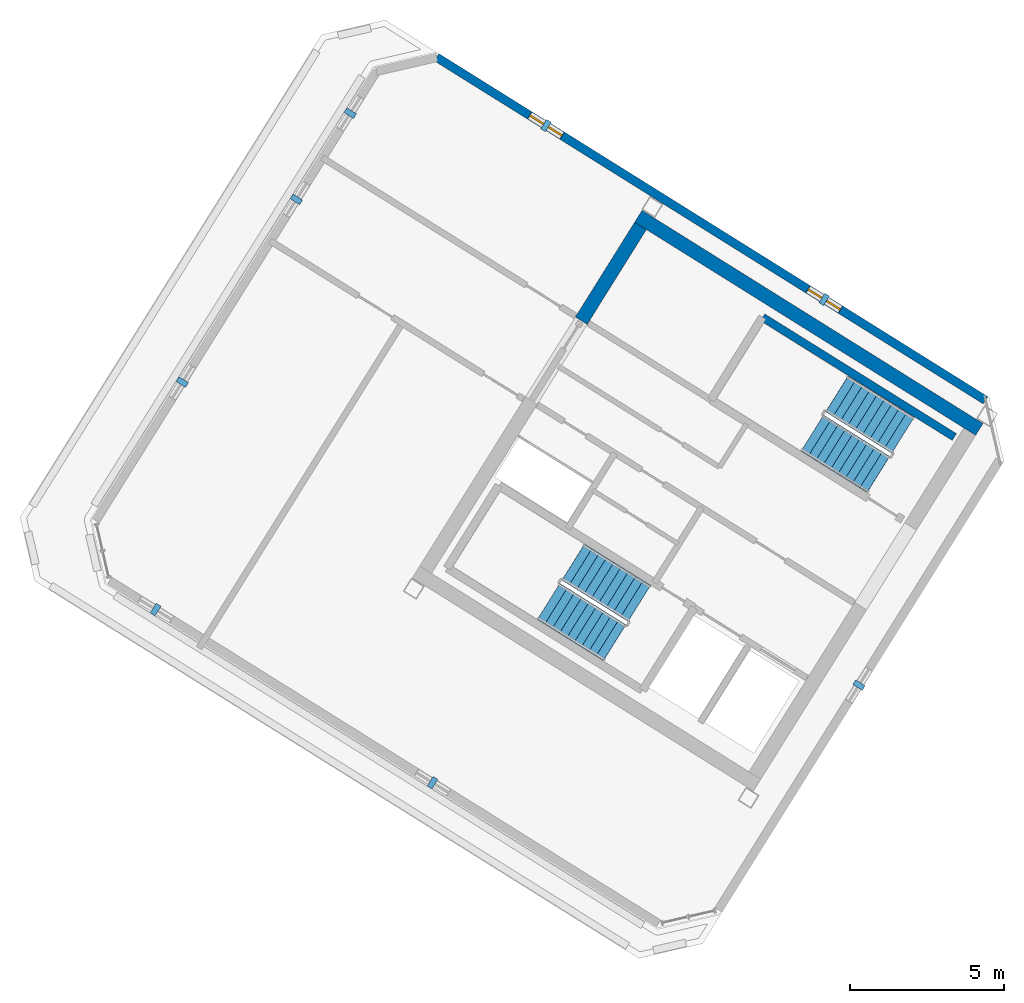
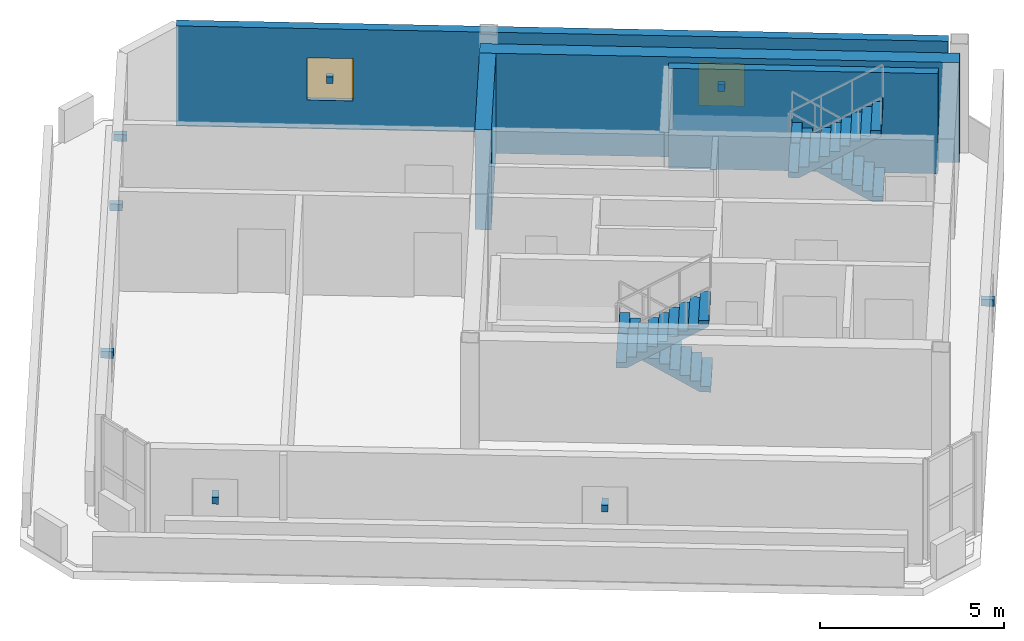
# One storey, part 6 of 8: 8 discrete accessories, 4 stair flights, 4 walls, 2 windows, 2 openings, 2 elements without a shape of their own.
"""IFC4 building model written with IfcOpenShell, lengths in metres."""

import ifcopenshell
import ifcopenshell.guid

model = None  # the IFC model being written
_history = None  # IfcOwnerHistory: only IFC2X3 demands one
_inside = {}  # id of a spatial element -> (the spatial element, [elements in it])
_under = {}  # id of a project, library or spatial element -> (it, [spatial elements below it])
_declared = {}  # id of a project -> (the project, [libraries it declares])
_typed = {}  # id of a type object -> (the type object, [elements of that type])
_made_of = {}  # id of a material, layer set ... -> (it, [elements and type objects made of it])


def new_model(schema):
    """Start an empty IFC model of exactly this schema.

    Asked for "IFC4X3", IfcOpenShell would pick the latest addendum, in which some entities
    have other attributes; the version numbers below select the first issue.
    IFC2X3 requires an IfcOwnerHistory on every rooted entity: one is made here for all.
    """
    global model, _history
    if schema == "IFC4X3":
        model = ifcopenshell.file(schema_version=(4, 3, 0, 0))
    else:
        model = ifcopenshell.file(schema=schema)
    _inside.clear()
    _under.clear()
    _declared.clear()
    _typed.clear()
    _made_of.clear()
    _history = None
    if model.schema == "IFC2X3":
        org = make("IfcOrganization", Name="unknown")
        user = make(
            "IfcPersonAndOrganization",
            ThePerson=make("IfcPerson", FamilyName="unknown"),
            TheOrganization=org,
        )
        app = make(
            "IfcApplication",
            ApplicationDeveloper=org,
            Version="unknown",
            ApplicationFullName="unknown",
            ApplicationIdentifier="unknown",
        )
        _history = make(
            "IfcOwnerHistory",
            OwningUser=user,
            OwningApplication=app,
            ChangeAction="ADDED",
            CreationDate=0,
        )
    return model


def make(cls, **values):
    """One entity of the class cls with the attributes given. An attribute that is None is left unset."""
    return model.create_entity(
        cls, **{name: value for name, value in values.items() if value is not None}
    )


def rooted(cls, **values):
    """An entity with a GlobalId (a new one), such as an element, a storey or a relation."""
    return make(cls, GlobalId=ifcopenshell.guid.new(), OwnerHistory=_history, **values)


def si_unit(unit_type, name, prefix=None):
    """IfcSIUnit, for example si_unit("LENGTHUNIT", "METRE", prefix="MILLI")."""
    return make("IfcSIUnit", UnitType=unit_type, Prefix=prefix, Name=name)


def assignment(units):
    """IfcUnitAssignment: the units of a project."""
    return None if units is None else make("IfcUnitAssignment", Units=units)


def point(xyz):
    """IfcCartesianPoint."""
    return None if xyz is None else make("IfcCartesianPoint", Coordinates=xyz)


def direction(xyz):
    """IfcDirection."""
    return None if xyz is None else make("IfcDirection", DirectionRatios=xyz)


def frame(location, z_axis=None, x_axis=None):
    """IfcAxis2Placement3D, a coordinate frame: its origin and axes. An axis left out is left unset."""
    return make(
        "IfcAxis2Placement3D",
        Location=point(location),
        Axis=direction(z_axis),
        RefDirection=direction(x_axis),
    )


def frame_2d(location, x_axis=None):
    """IfcAxis2Placement2D, a coordinate frame in the plane: its origin and x axis."""
    return make(
        "IfcAxis2Placement2D", Location=point(location), RefDirection=direction(x_axis)
    )


def origin():
    """The frame at (0, 0, 0) with its axes left unset."""
    return frame((0.0, 0.0, 0.0))


def origin_2d():
    """The frame at (0, 0) in the plane with its x axis left unset."""
    return frame_2d((0.0, 0.0))


def place(relative_to, where):
    """IfcLocalPlacement: puts the frame where relative to a parent placement (None: the world)."""
    return make(
        "IfcLocalPlacement", PlacementRelTo=relative_to, RelativePlacement=where
    )


def context(
    kind, dimensions, precision=None, world=None, true_north=None, identifier=None
):
    """IfcGeometricRepresentationContext, for example the 3D "Model" context."""
    return make(
        "IfcGeometricRepresentationContext",
        ContextIdentifier=identifier,
        ContextType=kind,
        CoordinateSpaceDimension=dimensions,
        Precision=precision,
        WorldCoordinateSystem=world,
        TrueNorth=true_north,
    )


def subcontext(parent, identifier, kind, view, scale=None):
    """IfcGeometricRepresentationSubContext, for example "Body" below "Model"."""
    return make(
        "IfcGeometricRepresentationSubContext",
        ContextIdentifier=identifier,
        ContextType=kind,
        ParentContext=parent,
        TargetScale=scale,
        TargetView=view,
    )


def project(units=None, contexts=None):
    """IfcProject with its units and contexts."""
    return rooted(
        "IfcProject",
        Name="project",
        RepresentationContexts=contexts,
        UnitsInContext=assignment(units),
    )


def spatial(cls, under=None, at=None, **own):
    """A site, building, storey or space (cls), placed at a placement, below another one or the project."""
    s = rooted(cls, ObjectPlacement=at, **own)
    if under is not None:
        _under.setdefault(under.id(), (under, []))[1].append(s)
    return s


def polyline(points):
    """IfcPolyline through the points."""
    return make("IfcPolyline", Points=[point(p) for p in points])


def profile(cls, at=None, kind="AREA", **sizes):
    """A parametric profile (cls). Its sizes go by their IFC names, for example OverallWidth=200.0."""
    return make(cls, ProfileType=kind, Position=at, **sizes)


def rectangle(**sizes):
    """IfcRectangleProfileDef."""
    return profile("IfcRectangleProfileDef", **sizes)


def outline(outer, holes=None, kind="AREA"):
    """IfcArbitraryClosedProfileDef: a profile drawn as a closed curve; with holes, ...WithVoids."""
    if holes is None:
        return make("IfcArbitraryClosedProfileDef", ProfileType=kind, OuterCurve=outer)
    return make(
        "IfcArbitraryProfileDefWithVoids",
        ProfileType=kind,
        OuterCurve=outer,
        InnerCurves=holes,
    )


def extrude(swept, where, along, depth):
    """IfcExtrudedAreaSolid: the profile swept, set in the frame where, extruded along a direction by depth."""
    return make(
        "IfcExtrudedAreaSolid",
        SweptArea=swept,
        Position=where,
        ExtrudedDirection=direction(along),
        Depth=depth,
    )


def shape(context_of_items, identifier, shape_type, items):
    """IfcShapeRepresentation: the items that make up one representation, for example the "Body"."""
    return make(
        "IfcShapeRepresentation",
        ContextOfItems=context_of_items,
        RepresentationIdentifier=identifier,
        RepresentationType=shape_type,
        Items=items,
    )


def source(mapping_origin, context_of_items, identifier, shape_type, items):
    """IfcRepresentationMap: a shape defined once, which mapped items show again and again."""
    return make(
        "IfcRepresentationMap",
        MappingOrigin=mapping_origin,
        MappedRepresentation=shape(context_of_items, identifier, shape_type, items),
    )


def transform(
    local_origin,
    x_axis=None,
    y_axis=None,
    z_axis=None,
    scale=None,
    scale2=None,
    scale3=None,
    uniform=True,
):
    """IfcCartesianTransformationOperator3D, or its non-uniform kind. x_axis, y_axis, z_axis: its Axis1, 2, 3."""
    if uniform:
        return make(
            "IfcCartesianTransformationOperator3D",
            Axis1=direction(x_axis),
            Axis2=direction(y_axis),
            LocalOrigin=point(local_origin),
            Scale=scale,
            Axis3=direction(z_axis),
        )
    return make(
        "IfcCartesianTransformationOperator3DnonUniform",
        Axis1=direction(x_axis),
        Axis2=direction(y_axis),
        LocalOrigin=point(local_origin),
        Scale=scale,
        Axis3=direction(z_axis),
        Scale2=scale2,
        Scale3=scale3,
    )


def mapped(mapping_source, mapping_target):
    """IfcMappedItem: shows the shape of a source again, moved by a transform."""
    return make(
        "IfcMappedItem", MappingSource=mapping_source, MappingTarget=mapping_target
    )


def material(Name=None, Category=None):
    """IfcMaterial."""
    return make("IfcMaterial", Name=Name, Category=Category)


def layer(
    of_material, thickness, ventilated=None, Name=None, Category=None, Priority=None
):
    """IfcMaterialLayer: one layer of a wall or slab, of a material (None: an air gap)."""
    return make(
        "IfcMaterialLayer",
        Material=of_material,
        LayerThickness=thickness,
        IsVentilated=ventilated,
        Name=Name,
        Category=Category,
        Priority=Priority,
    )


def layer_set(layers, Name=None):
    """IfcMaterialLayerSet."""
    return make("IfcMaterialLayerSet", MaterialLayers=layers, LayerSetName=Name)


def made_of(thing, what):
    """Note that an element or type object is made of a material, layer set ...; save() writes the relation."""
    if what is not None:
        _made_of.setdefault(what.id(), (what, []))[1].append(thing)
    return thing


def type_object(cls, material=None, **own):
    """A type object (cls), such as IfcWallType, which elements share."""
    return made_of(rooted(cls, **own), material)


def element(
    cls,
    number,
    at=None,
    inside=None,
    cuts=None,
    type_object=None,
    material=None,
    context=None,
    identifier="Body",
    shape_type=None,
    held_by="IfcProductDefinitionShape",
    body=None,
    shapes=None,
    **own,
):
    """One element of the class cls, such as IfcWall. Its Tag is "e" and its number.

    at: its placement. inside: the storey or other place that contains it. cuts: it is an
    opening in that element (IfcRelVoidsElement). A single representation is given by context,
    identifier, shape_type and body (its items); several are given by shapes. held_by: the class
    of the entity that holds the representations. save() writes the other relations.
    """
    e = rooted(cls, Tag="e%d" % number, ObjectPlacement=at, **own)
    if body is not None:
        shapes = [shape(context, identifier, shape_type, body)]
    if shapes is not None:
        e.Representation = make(held_by, Representations=shapes)
    if inside is not None:
        _inside.setdefault(inside.id(), (inside, []))[1].append(e)
    if cuts is not None:
        rooted(
            "IfcRelVoidsElement", RelatingBuildingElement=cuts, RelatedOpeningElement=e
        )
    if type_object is not None:
        _typed.setdefault(type_object.id(), (type_object, []))[1].append(e)
    return made_of(e, material)


def fill(opening, filler):
    """IfcRelFillsElement: the door or window that sits in an opening."""
    return rooted(
        "IfcRelFillsElement",
        RelatingOpeningElement=opening,
        RelatedBuildingElement=filler,
    )


def aggregate(whole, parts):
    """IfcRelAggregates: a whole, such as a stair, and the parts it consists of."""
    return rooted("IfcRelAggregates", RelatingObject=whole, RelatedObjects=parts)


def save(model, path):
    """Write the relations noted so far, then the file.

    IfcRelAggregates (storeys below a building ...), IfcRelContainedInSpatialStructure (elements
    in a storey), IfcRelDefinesByType, IfcRelAssociatesMaterial and IfcRelDeclares: one each for
    every whole, place, type object, material and project.
    """
    for whole, parts in _under.values():
        aggregate(whole, parts)
    for where, things in _inside.values():
        rooted(
            "IfcRelContainedInSpatialStructure",
            RelatedElements=things,
            RelatingStructure=where,
        )
    for kind, things in _typed.values():
        rooted("IfcRelDefinesByType", RelatedObjects=things, RelatingType=kind)
    for what, things in _made_of.values():
        rooted("IfcRelAssociatesMaterial", RelatedObjects=things, RelatingMaterial=what)
    for by, libraries in _declared.values():
        rooted("IfcRelDeclares", RelatingContext=by, RelatedDefinitions=libraries)
    model.write(path)


model = new_model("IFC4")

# Units and contexts
model_context = context("Model", 3, precision=1e-05, world=origin(), true_north=direction((0.0, 1.0)))
body_context = subcontext(model_context, "Body", "Model", "MODEL_VIEW")
ifc_project = project(units=[si_unit("LENGTHUNIT", "METRE"), si_unit("AREAUNIT", "SQUARE_METRE"), si_unit("VOLUMEUNIT", "CUBIC_METRE"), si_unit("PLANEANGLEUNIT", "RADIAN"), si_unit("MASSUNIT", "GRAM", prefix="KILO")], contexts=[model_context])

# Site, building, storey
site_placement = place(None, origin())
site = spatial("IfcSite", under=ifc_project, at=site_placement, CompositionType="ELEMENT")
building_placement = place(site_placement, origin())
building = spatial("IfcBuilding", under=site, at=building_placement, Name="Tlacorven Tower", CompositionType="ELEMENT")
storey_placement = place(building_placement, frame((0.0, 0.0, 302.39990234375)))
storey = spatial("IfcBuildingStorey", under=building, at=storey_placement, Name="L77", CompositionType="ELEMENT", Elevation=302.39990234375)

# Walls
ifc_material_1 = material(Name="Concrete C50/60", Category="concrete")
ifc_layer_1 = layer(ifc_material_1, 0.449951171875)
ifc_layer_set_1 = layer_set([ifc_layer_1], Name="Concrete C50/60")
wall_type_1 = type_object("IfcWallType", Name="WL-COR-450", PredefinedType="SHEAR", material=ifc_layer_set_1)
wall_1_placement = place(storey_placement, frame((40.53076171875, 24.036376953125, 0.0), z_axis=(0.0, 0.0, 1.0), x_axis=(-0.848048787466, 0.529918157905, 0.0)))
element("IfcWall", 1, at=wall_1_placement, inside=storey, type_object=wall_type_1, Name="L77 W core shear wall S1", PredefinedType="SHEAR", context=body_context, shape_type="SweptSolid", body=[
    extrude(rectangle(XDim=13.0400390625, YDim=0.449951171875, at=frame_2d((6.52001953125, 0.0))), origin(), (0.0, 0.0, 1.0), 3.320068359375),
])
wall_2_placement = place(storey_placement, frame((29.543701171875, 30.636474609375, 0.0), z_axis=(0.0, 0.0, 1.0), x_axis=(-0.529902075036, -0.848058836916, 0.0)))
element("IfcWall", 2, at=wall_2_placement, inside=storey, type_object=wall_type_1, Name="L77 W core end wall E2.1", PredefinedType="SHEAR", context=body_context, shape_type="SweptSolid", body=[
    extrude(rectangle(XDim=3.625, YDim=0.449951171875, at=frame_2d((1.8125, 0.0))), origin(), (0.0, 0.0, 1.0), 3.320068359375),
])

# Wall, openings, windows
ifc_material_2 = material(Name="Precast concrete C45/55", Category="concrete")
ifc_layer_2 = layer(ifc_material_2, 0.280029296875)
ifc_layer_set_2 = layer_set([ifc_layer_2], Name="Precast concrete C45/55")
wall_type_2 = type_object("IfcWallType", Name="WL-EXT-280", PredefinedType="STANDARD", material=ifc_layer_set_2)
wall_3_placement = place(storey_placement, frame((22.93505859375, 36.1044921875, 0.0), z_axis=(0.0, 0.0, 1.0), x_axis=(0.848046669074, -0.529921548036, 0.0)))
wall_3 = element("IfcWall", 3, at=wall_3_placement, inside=storey, type_object=wall_type_2, Name="L77 Masonry-Frame Recessed Facade Wall 5", PredefinedType="STANDARD", context=body_context, shape_type="SweptSolid", body=[
    extrude(rectangle(XDim=20.98388671875, YDim=0.280029296875, at=frame_2d((10.491943359375, 0.0))), origin(), (0.0, 0.0, 1.0), 3.320068359375),
])
opening_1_placement = place(wall_3_placement, frame((3.551025390625, 0.0, 0.949951171875)))
opening_1 = element("IfcOpeningElement", 4, at=opening_1_placement, cuts=wall_3, Name="Opening WN20", PredefinedType="OPENING", context=body_context, shape_type="SweptSolid", body=[
    extrude(rectangle(XDim=1.25, YDim=1.39990234375, at=frame_2d((0.625, 0.699951171875))), frame((0.0, 0.14990234375, 0.0), z_axis=(0.0, -1.0, 0.0), x_axis=(1.0, 0.0, 0.0)), (0.0, 0.0, 1.0), 0.300048828125),
])
opening_2_placement = place(wall_3_placement, frame((14.193115234375, 0.0, 0.949951171875)))
opening_2 = element("IfcOpeningElement", 5, at=opening_2_placement, cuts=wall_3, Name="Opening WN20", PredefinedType="OPENING", context=body_context, shape_type="SweptSolid", body=[
    extrude(rectangle(XDim=1.25, YDim=1.39990234375, at=frame_2d((0.625, 0.699951171875))), frame((0.0, 0.14990234375, 0.0), z_axis=(0.0, -1.0, 0.0), x_axis=(1.0, 0.0, 0.0)), (0.0, 0.0, 1.0), 0.300048828125),
])
ifc_material_3 = material(Name="Dark solar low-E double glazing in anodised aluminium frame", Category="aluminium")
window_type = type_object("IfcWindowType", Name="WN-CRN-1250X1500", PartitioningType="SINGLE_PANEL", PredefinedType="WINDOW", material=ifc_material_3)
shared_shape_1 = source(origin(), body_context, "Body", "SweptSolid", [
    extrude(rectangle(XDim=1.25, YDim=1.39990234375, at=frame_2d((0.625, 0.699951171875))), frame((0.0, 0.030029296875, 0.0), z_axis=(0.0, -1.0, 0.0), x_axis=(1.0, 0.0, 0.0)), (0.0, 0.0, 1.0), 0.06005859375),
])
window_1_placement = place(opening_1_placement, origin())
window_1 = element("IfcWindow", 6, at=window_1_placement, inside=storey, type_object=window_type, Name="L77 Acoustic Plant Facade Window 5.1", OverallHeight=1.39990234375, OverallWidth=1.25, PartitioningType="SINGLE_PANEL", PredefinedType="WINDOW", context=body_context, shape_type="MappedRepresentation", body=[
    mapped(shared_shape_1, transform((0.0, 0.0, 0.0), scale=1.0)),
])
fill(opening_1, window_1)
window_2_placement = place(opening_2_placement, origin())
window_2 = element("IfcWindow", 7, at=window_2_placement, inside=storey, type_object=window_type, Name="L77 Acoustic Plant Facade Window 5.2", OverallHeight=1.39990234375, OverallWidth=1.25, PartitioningType="SINGLE_PANEL", PredefinedType="WINDOW", context=body_context, shape_type="MappedRepresentation", body=[
    mapped(shared_shape_1, transform((0.0, 0.0, 0.0), scale=1.0)),
])
fill(opening_2, window_2)

# Wall
ifc_layer_3 = layer(ifc_material_1, 0.260009765625)
ifc_layer_set_3 = layer_set([ifc_layer_3], Name="Concrete C50/60")
wall_type_3 = type_object("IfcWallType", Name="WL-STW-260", PredefinedType="SHEAR", material=ifc_layer_set_3)
wall_4_placement = place(storey_placement, frame((39.720947265625, 23.787841796875, 0.0), z_axis=(0.0, 0.0, 1.0), x_axis=(-0.848054434086, 0.529909121291, 0.0)))
element("IfcWall", 8, at=wall_4_placement, inside=storey, type_object=wall_type_3, Name="L77 Stair W2 Far Shear Wall", PredefinedType="SHEAR", context=body_context, shape_type="SweptSolid", body=[
    extrude(rectangle(XDim=7.330078125, YDim=0.260009765625, at=frame_2d((3.6650390625, 0.0))), origin(), (0.0, 0.0, 1.0), 3.320068359375),
])

# Stair, stair flights
ifc_material_4 = material(Name="Concrete C40/50", Category="concrete")
stair_type = type_object("IfcStairType", Name="ST-CORE-DLG", PredefinedType="HALF_TURN_STAIR", material=ifc_material_4)
stair_1_placement = place(storey_placement, origin())
stair_1 = element("IfcStair", 9, at=stair_1_placement, inside=storey, type_object=stair_type, Name="L77 Protected Exit Stair West 1", PredefinedType="HALF_TURN_STAIR")
stair_flight_type = type_object("IfcStairFlightType", Name="SFL-RC-1380", PredefinedType="STRAIGHT", material=ifc_material_4)
shared_shape_2 = source(origin(), body_context, "Body", "SweptSolid", [
    extrude(outline(polyline([(-0.0029296875, -0.0029296875), (-0.0029296875, 0.179931640625), (0.280029296875, 0.179931640625), (0.280029296875, 0.360107421875), (0.56005859375, 0.360107421875), (0.56005859375, 0.5400390625), (0.840087890625, 0.5400390625), (0.840087890625, 0.719970703125), (1.1201171875, 0.719970703125), (1.1201171875, 0.89990234375), (1.39990234375, 0.89990234375), (1.39990234375, 1.080078125), (1.679931640625, 1.080078125), (1.679931640625, 1.260009765625), (1.9599609375, 1.260009765625), (1.9599609375, 1.43994140625), (2.239990234375, 1.43994140625), (2.239990234375, 1.6201171875), (2.52001953125, 1.6201171875), (2.52001953125, 1.800048828125), (2.52294921875, 1.800048828125), (2.52294921875, 1.429931640625), (2.52001953125, 1.429931640625), (0.295654296875, 0.0), (0.295654296875, -0.0029296875), (-0.0029296875, -0.0029296875)])), frame((0.0, 0.68994140625, 0.0), z_axis=(0.0, -1.0, 0.0), x_axis=(1.0, 0.0, 0.0)), (0.0, 0.0, 1.0), 1.3798828125),
])
stair_flight_1_placement = place(storey_placement, frame((29.499755859375, 18.39453125, 0.0), z_axis=(0.0, 0.0, 1.0), x_axis=(-0.848048096156, 0.529919264233, 0.0)))
stair_flight_1 = element("IfcStairFlight", 10, at=stair_flight_1_placement, type_object=stair_flight_type, Name="ST-W1 flight 1", NumberOfRisers=10, NumberOfTreads=9, PredefinedType="STRAIGHT", RiserHeight=0.18, TreadLength=0.28, context=body_context, shape_type="MappedRepresentation", body=[
    mapped(shared_shape_2, transform((0.0, 0.0, 0.0), scale=1.0)),
])
stair_flight_2_placement = place(storey_placement, frame((26.56787109375, 18.4580078125, 1.800048828125), z_axis=(0.0, 0.0, 1.0), x_axis=(0.848048096156, -0.529919264233, 0.0)))
stair_flight_2 = element("IfcStairFlight", 11, at=stair_flight_2_placement, type_object=stair_flight_type, Name="ST-W1 flight 2", NumberOfRisers=10, NumberOfTreads=9, PredefinedType="STRAIGHT", RiserHeight=0.18, TreadLength=0.28, context=body_context, shape_type="MappedRepresentation", body=[
    mapped(shared_shape_2, transform((0.0, 0.0, 0.0), scale=1.0)),
])
aggregate(stair_1, [stair_flight_1, stair_flight_2])

stair_2_placement = place(storey_placement, origin())
stair_2 = element("IfcStair", 12, at=stair_2_placement, inside=storey, type_object=stair_type, Name="L77 Protected Exit Stair West 2", PredefinedType="HALF_TURN_STAIR")
stair_flight_3_placement = place(storey_placement, frame((38.051513671875, 23.852294921875, 0.0), z_axis=(0.0, 0.0, 1.0), x_axis=(-0.848048096156, 0.529919264233, 0.0)))
stair_flight_3 = element("IfcStairFlight", 13, at=stair_flight_3_placement, type_object=stair_flight_type, Name="ST-W2 flight 1", NumberOfRisers=10, NumberOfTreads=9, PredefinedType="STRAIGHT", RiserHeight=0.18, TreadLength=0.28, context=body_context, shape_type="MappedRepresentation", body=[
    mapped(shared_shape_2, transform((0.0, 0.0, 0.0), scale=1.0)),
])
stair_flight_4_placement = place(storey_placement, frame((35.119384765625, 23.91552734375, 1.800048828125), z_axis=(0.0, 0.0, 1.0), x_axis=(0.848048096156, -0.529919264233, 0.0)))
stair_flight_4 = element("IfcStairFlight", 14, at=stair_flight_4_placement, type_object=stair_flight_type, Name="ST-W2 flight 2", NumberOfRisers=10, NumberOfTreads=9, PredefinedType="STRAIGHT", RiserHeight=0.18, TreadLength=0.28, context=body_context, shape_type="MappedRepresentation", body=[
    mapped(shared_shape_2, transform((0.0, 0.0, 0.0), scale=1.0)),
])
aggregate(stair_2, [stair_flight_3, stair_flight_4])

# Discrete accessories
ifc_material_5 = material(Name="Steel S355J2", Category="steel")
discrete_accessory_type = type_object("IfcDiscreteAccessoryType", Name="ACC-BRK-01", PredefinedType="BRACKET", material=ifc_material_5)
shared_shape_3 = source(origin(), body_context, "Body", "SweptSolid", [
    extrude(rectangle(XDim=0.179931640625, YDim=0.360107421875, at=origin_2d()), origin(), (0.0, 0.0, 1.0), 0.219970703125),
])
for number, where, z_axis, x_axis, name in (
    (15, (36.628662109375, 15.744140625, 1.5400390625), (0.0, 0.0, 1.0), (-0.529918922073, -0.848048309962, 0.0), "L77 Louvre Fixing Bracket 1.1"),
    (16, (22.800048828125, 12.581787109375, 1.5400390625), (0.0, 0.0, 1.0), (-0.848048089904, 0.529919274239, 0.0), "L77 Louvre Fixing Bracket 2.1"),
    (17, (13.8173828125, 18.194580078125, 1.5400390625), (0.0, 0.0, 1.0), (-0.848048089904, 0.529919274239, 0.0), "L77 Louvre Fixing Bracket 2.2"),
    (18, (14.681396484375, 25.57177734375, 1.5400390625), (0.0, 0.0, 1.0), (0.52991918185, 0.848048147635, 0.0), "L77 Louvre Fixing Bracket 3.1"),
    (19, (18.383544921875, 31.49609375, 1.5400390625), (0.0, 0.0, 1.0), (0.52991918185, 0.848048147635, 0.0), "L77 Louvre Fixing Bracket 3.2"),
    (20, (20.130126953125, 34.291259765625, 1.5400390625), (0.0, 0.0, 1.0), (0.52991918185, 0.848048147635, 0.0), "L77 Louvre Fixing Bracket 3.3"),
    (21, (26.4765625, 33.8916015625, 1.5400390625), (0.0, 0.0, 1.0), (0.848048302896, -0.529918933381, 0.0), "L77 Louvre Fixing Bracket 5.1"),
    (22, (35.50146484375, 28.252197265625, 1.5400390625), (0.0, 0.0, 1.0), (0.848048302896, -0.529918933381, 0.0), "L77 Louvre Fixing Bracket 5.2"),
):
    element("IfcDiscreteAccessory", number, at=place(storey_placement, frame(where, z_axis=z_axis, x_axis=x_axis)), inside=storey, type_object=discrete_accessory_type, Name=name, PredefinedType="BRACKET", context=body_context, shape_type="MappedRepresentation", body=[
        mapped(shared_shape_3, transform((0.0, 0.0, 0.0), scale=1.0)),
    ])

save(model, "model.ifc")
